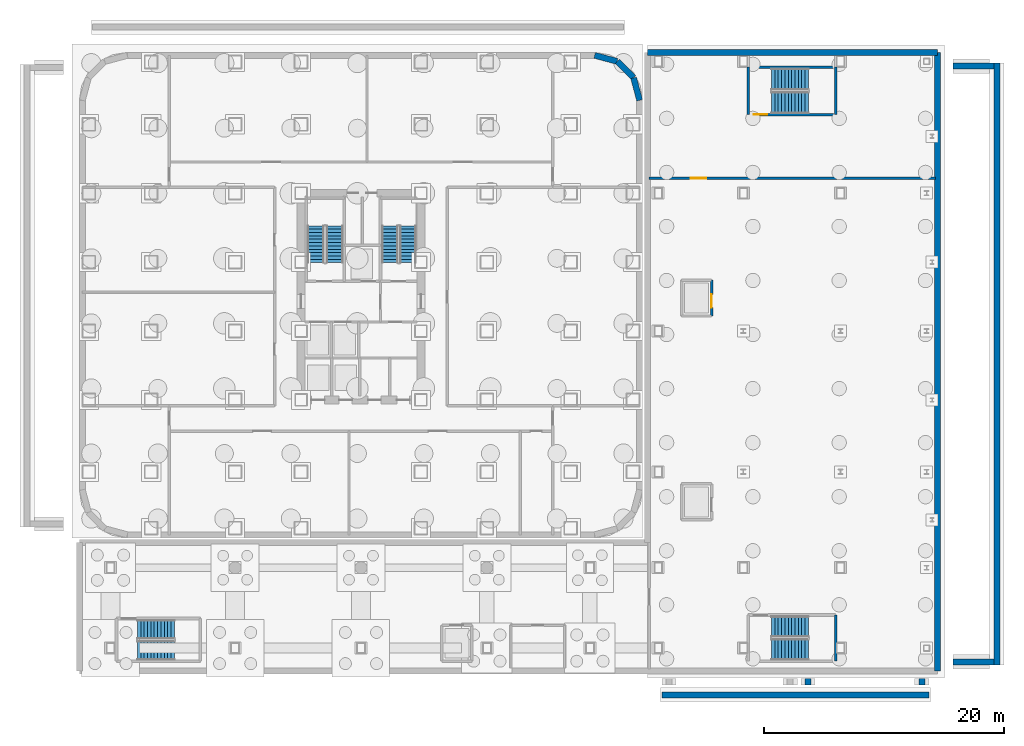
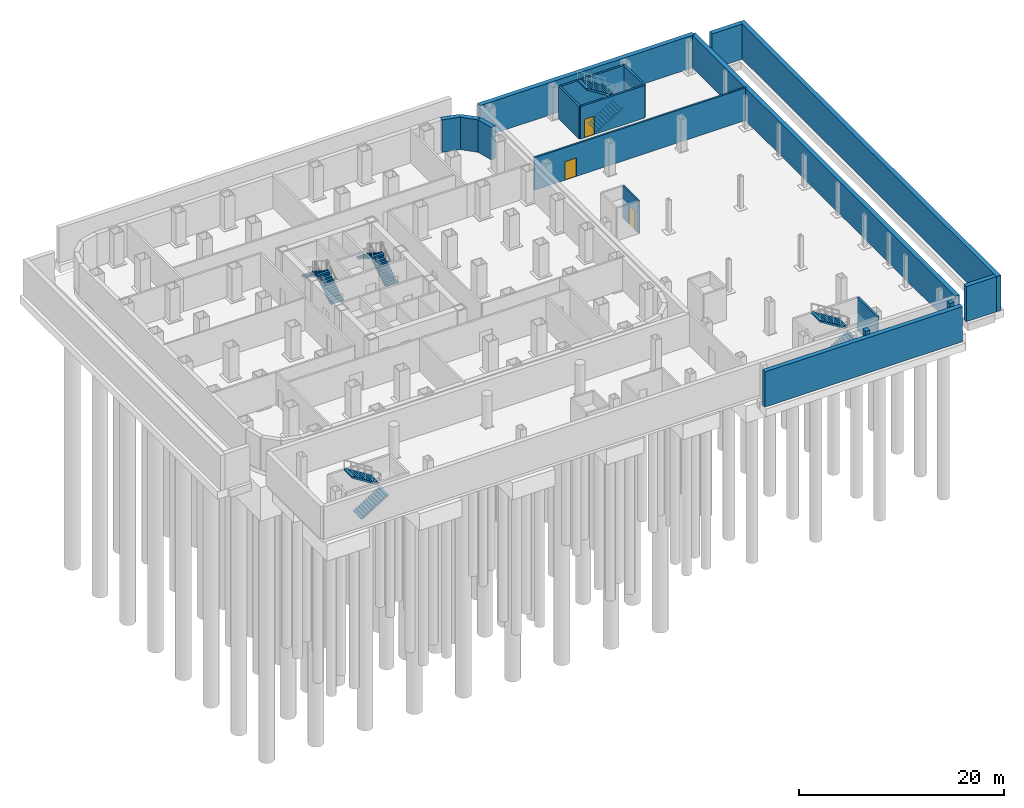
# One storey, part 9 of 16: 18 walls, 10 stair flights, 3 doors, 3 openings, 5 elements without a shape of their own.
"""IFC4 building model written with IfcOpenShell, lengths in metres."""

from ifc_helpers import new_model, si_unit, direction, frame, frame_2d, origin, place, context, subcontext, project, spatial, polyline, rectangle, outline, extrude, material, layer, layer_set, type_object, element, fill, aggregate, save


model = new_model("IFC4")

# Units and contexts
model_context = context("Model", 3, precision=1e-05, world=origin(), true_north=direction((0.0, 1.0)))
body_context = subcontext(model_context, "Body", "Model", "MODEL_VIEW")
ifc_project = project(units=[si_unit("LENGTHUNIT", "METRE"), si_unit("AREAUNIT", "SQUARE_METRE"), si_unit("VOLUMEUNIT", "CUBIC_METRE"), si_unit("PLANEANGLEUNIT", "RADIAN"), si_unit("MASSUNIT", "GRAM", prefix="KILO")], contexts=[model_context])

# Site, building, storey
site_placement = place(None, origin())
site = spatial("IfcSite", under=ifc_project, at=site_placement, CompositionType="ELEMENT")
building_placement = place(site_placement, origin())
building = spatial("IfcBuilding", under=site, at=building_placement, Name="Kolveth Station Tower", CompositionType="ELEMENT")
storey_placement = place(building_placement, frame((0.0, 0.0, -8.39990234375)))
storey = spatial("IfcBuildingStorey", under=building, at=storey_placement, Name="B2", CompositionType="ELEMENT", Elevation=-8.39990234375)

# Wall, opening, door
ifc_material_1 = material(Name="Acoustic fire-rated gypsum blockwork", Category="masonry")
ifc_layer_1 = layer(ifc_material_1, 0.199951171875)
ifc_layer_set_1 = layer_set([ifc_layer_1], Name="Acoustic fire-rated gypsum blockwork")
wall_type_1 = type_object("IfcWallType", Name="Wall_IW-200", PredefinedType="PARTITIONING", material=ifc_layer_set_1)
wall_1_placement = place(storey_placement, frame((52.75, 18.5, 0.0), z_axis=(0.0, 0.0, 1.0), x_axis=(0.0, 1.0, 0.0)))
wall_1 = element("IfcWall", 1, at=wall_1_placement, inside=storey, type_object=wall_type_1, Name="B2 Partition Wall WL-B2-SL2-E", PredefinedType="PARTITIONING", context=body_context, shape_type="SweptSolid", body=[
    extrude(rectangle(XDim=3.0, YDim=0.199951171875, at=frame_2d((1.5, 0.0))), origin(), (0.0, 0.0, 1.0), 3.8798828125),
])
opening_1_placement = place(wall_1_placement, frame((0.699951171875, 0.0, 0.0)))
opening_1 = element("IfcOpeningElement", 2, at=opening_1_placement, cuts=wall_1, Name="Opening LD1", PredefinedType="OPENING", context=body_context, shape_type="SweptSolid", body=[
    extrude(rectangle(XDim=1.10009765625, YDim=2.25, at=frame_2d((0.550048828125, 1.125))), frame((0.0, 0.10986328125, 0.0), z_axis=(0.0, -1.0, 0.0), x_axis=(1.0, 0.0, 0.0)), (0.0, 0.0, 1.0), 0.219970703125),
])
ifc_material_2 = material(Name="Brushed stainless steel sliding landing doors", Category="steel")
door_type_1 = type_object("IfcDoorType", Name="Door_LD1", OperationType="NOTDEFINED", PredefinedType="DOOR", material=ifc_material_2)
door_1_placement = place(opening_1_placement, origin())
door_1 = element("IfcDoor", 3, at=door_1_placement, inside=storey, type_object=door_type_1, Name="B2 Station Lift SL2 Landing Door", OperationType="DOUBLE_DOOR_SLIDING", OverallHeight=2.25, OverallWidth=1.10009765625, PredefinedType="DOOR", context=body_context, shape_type="SweptSolid", body=[
    extrude(rectangle(XDim=1.10009765625, YDim=2.25, at=frame_2d((0.550048828125, 1.125))), frame((0.0, 0.02490234375, 0.0), z_axis=(0.0, -1.0, 0.0), x_axis=(1.0, 0.0, 0.0)), (0.0, 0.0, 1.0), 0.050048828125),
])
fill(opening_1, door_1)

wall_2_placement = place(storey_placement, frame((47.550048828125, 30.0, 0.0), z_axis=(0.0, 0.0, 1.0), x_axis=(1.0, 0.0, 0.0)))
wall_2 = element("IfcWall", 4, at=wall_2_placement, inside=storey, type_object=wall_type_1, Name="B2 Partition Wall WL-B2-STN-DIV", PredefinedType="PARTITIONING", context=body_context, shape_type="SweptSolid", body=[
    extrude(rectangle(XDim=23.89990234375, YDim=0.199951171875, at=frame_2d((11.949951171875, 0.0))), origin(), (0.0, 0.0, 1.0), 3.8798828125),
])
opening_2_placement = place(wall_2_placement, frame((3.449951171875, 0.0, 0.0)))
opening_2 = element("IfcOpeningElement", 5, at=opening_2_placement, cuts=wall_2, Name="Opening ID3", PredefinedType="OPENING", context=body_context, shape_type="SweptSolid", body=[
    extrude(rectangle(XDim=1.300048828125, YDim=2.199951171875, at=frame_2d((0.64990234375, 1.10009765625))), frame((0.0, 0.10986328125, 0.0), z_axis=(0.0, -1.0, 0.0), x_axis=(1.0, 0.0, 0.0)), (0.0, 0.0, 1.0), 0.219970703125),
])
ifc_material_3 = material(Name="Glazed acoustic office double leaf")
door_type_2 = type_object("IfcDoorType", Name="Door_ID3", OperationType="NOTDEFINED", PredefinedType="DOOR", material=ifc_material_3)
door_2_placement = place(opening_2_placement, origin())
door_2 = element("IfcDoor", 6, at=door_2_placement, inside=storey, type_object=door_type_2, Name="B2 Station Concourse Gate", OperationType="DOUBLE_DOOR_SINGLE_SWING", OverallHeight=2.199951171875, OverallWidth=1.300048828125, PredefinedType="DOOR", context=body_context, shape_type="SweptSolid", body=[
    extrude(rectangle(XDim=1.300048828125, YDim=2.199951171875, at=frame_2d((0.64990234375, 1.10009765625))), frame((0.0, 0.02490234375, 0.0), z_axis=(0.0, -1.0, 0.0), x_axis=(1.0, 0.0, 0.0)), (0.0, 0.0, 1.0), 0.050048828125),
])
fill(opening_2, door_2)

ifc_material_4 = material(Name="Concrete C40/50", Category="concrete")
ifc_layer_2 = layer(ifc_material_4, 0.219970703125)
ifc_layer_set_2 = layer_set([ifc_layer_2], Name="Concrete C40/50")
wall_type_2 = type_object("IfcWallType", Name="Wall_IW-220", PredefinedType="SOLIDWALL", material=ifc_layer_set_2)
wall_3_placement = place(storey_placement, frame((55.800048828125, 35.300048828125, 0.0), z_axis=(0.0, 0.0, 1.0), x_axis=(1.0, 0.0, 0.0)))
wall_3 = element("IfcWall", 7, at=wall_3_placement, inside=storey, type_object=wall_type_2, Name="B2 Stair Shaft Wall WL-B2-ST3-S", PredefinedType="SOLIDWALL", context=body_context, shape_type="SweptSolid", body=[
    extrude(rectangle(XDim=7.300048828125, YDim=0.219970703125, at=frame_2d((3.64990234375, 0.0))), origin(), (0.0, 0.0, 1.0), 3.8798828125),
])
opening_3_placement = place(wall_3_placement, frame((0.449951171875, 0.0, 0.0)))
opening_3 = element("IfcOpeningElement", 8, at=opening_3_placement, cuts=wall_3, Name="Opening FD1", PredefinedType="OPENING", context=body_context, shape_type="SweptSolid", body=[
    extrude(rectangle(XDim=1.14990234375, YDim=2.199951171875, at=frame_2d((0.574951171875, 1.10009765625))), frame((0.0, 0.119873046875, 0.0), z_axis=(0.0, -1.0, 0.0), x_axis=(1.0, 0.0, 0.0)), (0.0, 0.0, 1.0), 0.239990234375),
])
ifc_material_5 = material(Name="Fire-rated Steel S355 leaf and frame", Category="steel")
door_type_3 = type_object("IfcDoorType", Name="Door_FD1", OperationType="NOTDEFINED", PredefinedType="DOOR", material=ifc_material_5)
door_3_placement = place(opening_3_placement, frame((1.14990234375, 0.0, 0.0), z_axis=(0.0, 0.0, 1.0), x_axis=(-1.0, 0.0, 0.0)))
door_3 = element("IfcDoor", 9, at=door_3_placement, inside=storey, type_object=door_type_3, Name="B2 Station Stair ST3 Door", OperationType="SINGLE_SWING_RIGHT", OverallHeight=2.199951171875, OverallWidth=1.14990234375, PredefinedType="DOOR", context=body_context, shape_type="SweptSolid", body=[
    extrude(rectangle(XDim=1.14990234375, YDim=2.199951171875, at=frame_2d((0.574951171875, 1.10009765625))), frame((0.0, 0.02490234375, 0.0), z_axis=(0.0, -1.0, 0.0), x_axis=(1.0, 0.0, 0.0)), (0.0, 0.0, 1.0), 0.050048828125),
])
fill(opening_3, door_3)

# Walls
wall_4_placement = place(storey_placement, frame((55.800048828125, 39.260009765625, 0.0), z_axis=(0.0, 0.0, 1.0), x_axis=(1.0, 0.0, 0.0)))
element("IfcWall", 10, at=wall_4_placement, inside=storey, type_object=wall_type_2, Name="B2 Stair Shaft Wall WL-B2-ST3-N", PredefinedType="SOLIDWALL", context=body_context, shape_type="SweptSolid", body=[
    extrude(rectangle(XDim=7.300048828125, YDim=0.219970703125, at=frame_2d((3.64990234375, 0.0))), origin(), (0.0, 0.0, 1.0), 3.8798828125),
])
for number, where, z_axis, x_axis, name in (
    (11, (55.800048828125, 35.300048828125, 0.0), (0.0, 0.0, 1.0), (0.0, 1.0, 0.0), "B2 Stair Shaft Wall WL-B2-ST3-W"),
    (12, (63.10009765625, 35.300048828125, 0.0), (0.0, 0.0, 1.0), (0.0, 1.0, 0.0), "B2 Stair Shaft Wall WL-B2-ST3-E"),
):
    element("IfcWall", number, at=place(storey_placement, frame(where, z_axis=z_axis, x_axis=x_axis)), inside=storey, type_object=wall_type_2, Name=name, PredefinedType="SOLIDWALL", context=body_context, shape_type="SweptSolid", body=[
        extrude(rectangle(XDim=3.9599609375, YDim=0.219970703125, at=frame_2d((1.97998046875, 0.0))), origin(), (0.0, 0.0, 1.0), 3.8798828125),
    ])
wall_5_placement = place(storey_placement, frame((63.10009765625, -10.300048828125, 0.0), z_axis=(0.0, 0.0, 1.0), x_axis=(0.0, 1.0, 0.0)))
element("IfcWall", 13, at=wall_5_placement, inside=storey, type_object=wall_type_2, Name="B2 Stair Shaft Wall WL-B2-ST4-E", PredefinedType="SOLIDWALL", context=body_context, shape_type="SweptSolid", body=[
    extrude(rectangle(XDim=3.860107421875, YDim=0.219970703125, at=frame_2d((1.93017578125, 0.0))), origin(), (0.0, 0.0, 1.0), 3.8798828125),
])
ifc_material_6 = material(Name="Concrete C50/60", Category="concrete")
ifc_layer_3 = layer(ifc_material_6, 0.5)
ifc_layer_set_3 = layer_set([ifc_layer_3], Name="Concrete C50/60")
wall_type_3 = type_object("IfcWallType", Name="Wall_RW-500", PredefinedType="USERDEFINED", material=ifc_layer_set_3)
for number, where, z_axis, x_axis, name in (
    (14, (46.75, 36.5, 0.0), (0.0, 0.0, 1.0), (-0.258836670666, 0.965921103361, 0.0), "B2 Tower Basement Retaining Wall 5"),
    (15, (46.24755859375, 38.375, 0.0), (0.0, 0.0, 1.0), (-0.707106781187, 0.707106781187, 0.0), "B2 Tower Basement Retaining Wall 6"),
    (16, (44.875, 39.74755859375, 0.0), (0.0, 0.0, 1.0), (-0.965921103361, 0.258836670666, 0.0), "B2 Tower Basement Retaining Wall 7"),
):
    element("IfcWall", number, at=place(storey_placement, frame(where, z_axis=z_axis, x_axis=x_axis)), inside=storey, type_object=wall_type_3, Name=name, ObjectType="RETAININGWALL", PredefinedType="USERDEFINED", context=body_context, shape_type="SweptSolid", body=[
        extrude(rectangle(XDim=1.941162109375, YDim=0.5, at=frame_2d((0.970703125, 0.0))), origin(), (0.0, 0.0, 1.0), 3.8798828125),
    ])
wall_6_placement = place(storey_placement, frame((71.60009765625, -11.10009765625, 0.0), z_axis=(0.0, 0.0, 1.0), x_axis=(0.0, 1.0, 0.0)))
element("IfcWall", 17, at=wall_6_placement, inside=storey, type_object=wall_type_3, Name="B2 Station Basement Retaining Wall 2", ObjectType="RETAININGWALL", PredefinedType="USERDEFINED", context=body_context, shape_type="SweptSolid", body=[
    extrude(rectangle(XDim=51.60009765625, YDim=0.5, at=frame_2d((25.800048828125, 0.0))), origin(), (0.0, 0.0, 1.0), 3.8798828125),
])
wall_7_placement = place(storey_placement, frame((71.60009765625, 40.5, 0.0), z_axis=(0.0, 0.0, 1.0), x_axis=(-1.0, 0.0, 0.0)))
element("IfcWall", 18, at=wall_7_placement, inside=storey, type_object=wall_type_3, Name="B2 Station Basement Retaining Wall 3", ObjectType="RETAININGWALL", PredefinedType="USERDEFINED", context=body_context, shape_type="SweptSolid", body=[
    extrude(rectangle(XDim=24.2001953125, YDim=0.5, at=frame_2d((12.10009765625, 0.0))), origin(), (0.0, 0.0, 1.0), 3.8798828125),
])
wall_8_placement = place(storey_placement, frame((76.550048828125, -10.60009765625, 0.0), z_axis=(0.0, 0.0, 1.0), x_axis=(0.0, 1.0, 0.0)))
element("IfcWall", 19, at=wall_8_placement, inside=storey, type_object=wall_type_3, Name="B2 Forecourt Retaining Wall 4", ObjectType="RETAININGWALL", PredefinedType="USERDEFINED", context=body_context, shape_type="SweptSolid", body=[
    extrude(rectangle(XDim=50.2001953125, YDim=0.5, at=frame_2d((25.10009765625, 0.0))), origin(), (0.0, 0.0, 1.0), 4.199951171875),
])
for number, where, z_axis, x_axis, name in (
    (20, (72.89990234375, -10.35009765625, 0.0), (0.0, 0.0, 1.0), (1.0, 0.0, 0.0), "B2 Forecourt Retaining Wall 5"),
    (21, (72.89990234375, 39.35009765625, 0.0), (0.0, 0.0, 1.0), (1.0, 0.0, 0.0), "B2 Forecourt Retaining Wall 6"),
):
    element("IfcWall", number, at=place(storey_placement, frame(where, z_axis=z_axis, x_axis=x_axis)), inside=storey, type_object=wall_type_3, Name=name, ObjectType="RETAININGWALL", PredefinedType="USERDEFINED", context=body_context, shape_type="SweptSolid", body=[
        extrude(rectangle(XDim=3.400146484375, YDim=0.5, at=frame_2d((1.7001953125, 0.0))), origin(), (0.0, 0.0, 1.0), 4.199951171875),
    ])
wall_9_placement = place(storey_placement, frame((48.60009765625, -13.10009765625, 0.0), z_axis=(0.0, 0.0, 1.0), x_axis=(1.0, 0.0, 0.0)))
element("IfcWall", 22, at=wall_9_placement, inside=storey, type_object=wall_type_3, Name="B2 Forecourt Retaining Wall 8", ObjectType="RETAININGWALL", PredefinedType="USERDEFINED", context=body_context, shape_type="SweptSolid", body=[
    extrude(rectangle(XDim=22.2998046875, YDim=0.5, at=frame_2d((11.14990234375, 0.0))), origin(), (0.0, 0.0, 1.0), 4.199951171875),
])
for number, where, z_axis, x_axis, name in (
    (23, (60.800048828125, -12.300048828125, 0.0), (0.0, 0.0, 1.0), (0.0, 1.0, 0.0), "B2 Forecourt Retaining Wall 11"),
    (24, (70.300048828125, -12.300048828125, 0.0), (0.0, 0.0, 1.0), (0.0, 1.0, 0.0), "B2 Forecourt Retaining Wall 12"),
):
    element("IfcWall", number, at=place(storey_placement, frame(where, z_axis=z_axis, x_axis=x_axis)), inside=storey, type_object=wall_type_3, Name=name, ObjectType="RETAININGWALL", PredefinedType="USERDEFINED", context=body_context, shape_type="SweptSolid", body=[
        extrude(rectangle(XDim=0.550048828125, YDim=0.5, at=frame_2d((0.27490234375, 0.0))), origin(), (0.0, 0.0, 1.0), 4.199951171875),
    ])

# Stair, stair flights
stair_type_1 = type_object("IfcStairType", Name="Stair_ST1", PredefinedType="HALF_TURN_STAIR", material=ifc_material_4)
stair_1_placement = place(storey_placement, origin())
stair_1 = element("IfcStair", 25, at=stair_1_placement, inside=storey, type_object=stair_type_1, Name="B2 Tower Exit Stair ST1", PredefinedType="HALF_TURN_STAIR")
ifc_layer_4 = layer(ifc_material_4, 0.179931640625)
ifc_layer_set_4 = layer_set([ifc_layer_4], Name="Concrete C40/50")
stair_flight_type_1 = type_object("IfcStairFlightType", Name="Flight_ST1", PredefinedType="STRAIGHT", material=ifc_layer_set_4)
stair_flight_1_placement = place(storey_placement, frame((21.300048828125, 22.949951171875, 0.0), z_axis=(0.0, 0.0, 1.0), x_axis=(0.0, 1.0, 0.0)))
stair_flight_1 = element("IfcStairFlight", 26, at=stair_flight_1_placement, type_object=stair_flight_type_1, Name="ST1 flight 1", NumberOfRisers=12, NumberOfTreads=11, PredefinedType="STRAIGHT", RiserHeight=0.175, TreadLength=0.28, context=body_context, shape_type="SweptSolid", body=[
    extrude(outline(polyline([(0.0, 0.0), (0.0, 0.175048828125), (0.280029296875, 0.175048828125), (0.280029296875, 0.35009765625), (0.56005859375, 0.35009765625), (0.56005859375, 0.52490234375), (0.840087890625, 0.52490234375), (0.840087890625, 0.699951171875), (1.1201171875, 0.699951171875), (1.1201171875, 0.875), (1.39990234375, 0.875), (1.39990234375, 1.050048828125), (1.679931640625, 1.050048828125), (1.679931640625, 1.22509765625), (1.9599609375, 1.22509765625), (1.9599609375, 1.39990234375), (2.239990234375, 1.39990234375), (2.239990234375, 1.574951171875), (2.52001953125, 1.574951171875), (2.52001953125, 1.75), (2.800048828125, 1.75), (2.800048828125, 1.925048828125), (3.080078125, 1.925048828125), (3.080078125, 2.10009765625), (3.080078125, 1.748291015625), (0.28271484375, 0.0), (0.0, 0.0)])), frame((0.0, 0.699951171875, 0.0), z_axis=(0.0, -1.0, 0.0), x_axis=(1.0, 0.0, 0.0)), (0.0, 0.0, 1.0), 1.39990234375),
])
stair_flight_2_placement = place(storey_placement, frame((19.739990234375, 26.030029296875, 2.099853515625), z_axis=(0.0, 0.0, 1.0), x_axis=(0.0, -1.0, 0.0)))
stair_flight_2 = element("IfcStairFlight", 27, at=stair_flight_2_placement, type_object=stair_flight_type_1, Name="ST1 flight 2", NumberOfRisers=12, NumberOfTreads=11, PredefinedType="STRAIGHT", RiserHeight=0.175, TreadLength=0.28, context=body_context, shape_type="SweptSolid", body=[
    extrude(outline(polyline([(0.0, 0.0), (0.0, 0.175048828125), (0.280029296875, 0.175048828125), (0.280029296875, 0.35009765625), (0.56005859375, 0.35009765625), (0.56005859375, 0.52490234375), (0.840087890625, 0.52490234375), (0.840087890625, 0.699951171875), (1.1201171875, 0.699951171875), (1.1201171875, 0.875), (1.39990234375, 0.875), (1.39990234375, 1.050048828125), (1.679931640625, 1.050048828125), (1.679931640625, 1.22509765625), (1.9599609375, 1.22509765625), (1.9599609375, 1.39990234375), (2.239990234375, 1.39990234375), (2.239990234375, 1.574951171875), (2.52001953125, 1.574951171875), (2.52001953125, 1.75), (2.800048828125, 1.75), (2.800048828125, 1.925048828125), (3.080078125, 1.925048828125), (3.080078125, 2.10009765625), (3.080078125, 1.748291015625), (0.28271484375, 0.0), (0.0, 0.0)])), frame((0.0, 0.699951171875, 0.0), z_axis=(0.0, -1.0, 0.0), x_axis=(1.0, 0.0, 0.0)), (0.0, 0.0, 1.0), 1.39990234375),
])
aggregate(stair_1, [stair_flight_1, stair_flight_2])

stair_type_2 = type_object("IfcStairType", Name="Stair_ST2", PredefinedType="HALF_TURN_STAIR", material=ifc_material_4)
stair_2_placement = place(storey_placement, origin())
stair_2 = element("IfcStair", 28, at=stair_2_placement, inside=storey, type_object=stair_type_2, Name="B2 Tower Exit Stair ST2", PredefinedType="HALF_TURN_STAIR")
ifc_layer_5 = layer(ifc_material_4, 0.179931640625)
ifc_layer_set_5 = layer_set([ifc_layer_5], Name="Concrete C40/50")
stair_flight_type_2 = type_object("IfcStairFlightType", Name="Flight_ST2", PredefinedType="STRAIGHT", material=ifc_layer_set_5)
stair_flight_3_placement = place(storey_placement, frame((27.425048828125, 22.949951171875, 0.0), z_axis=(0.0, 0.0, 1.0), x_axis=(0.0, 1.0, 0.0)))
stair_flight_3 = element("IfcStairFlight", 29, at=stair_flight_3_placement, type_object=stair_flight_type_2, Name="ST2 flight 1", NumberOfRisers=12, NumberOfTreads=11, PredefinedType="STRAIGHT", RiserHeight=0.175, TreadLength=0.28, context=body_context, shape_type="SweptSolid", body=[
    extrude(outline(polyline([(0.0, 0.0), (0.0, 0.175048828125), (0.280029296875, 0.175048828125), (0.280029296875, 0.35009765625), (0.56005859375, 0.35009765625), (0.56005859375, 0.52490234375), (0.840087890625, 0.52490234375), (0.840087890625, 0.699951171875), (1.1201171875, 0.699951171875), (1.1201171875, 0.875), (1.39990234375, 0.875), (1.39990234375, 1.050048828125), (1.679931640625, 1.050048828125), (1.679931640625, 1.22509765625), (1.9599609375, 1.22509765625), (1.9599609375, 1.39990234375), (2.239990234375, 1.39990234375), (2.239990234375, 1.574951171875), (2.52001953125, 1.574951171875), (2.52001953125, 1.75), (2.800048828125, 1.75), (2.800048828125, 1.925048828125), (3.080078125, 1.925048828125), (3.080078125, 2.10009765625), (3.080078125, 1.748291015625), (0.28271484375, 0.0), (0.0, 0.0)])), frame((0.0, 0.675048828125, 0.0), z_axis=(0.0, -1.0, 0.0), x_axis=(1.0, 0.0, 0.0)), (0.0, 0.0, 1.0), 1.35009765625),
])
stair_flight_4_placement = place(storey_placement, frame((25.9150390625, 26.030029296875, 2.099853515625), z_axis=(0.0, 0.0, 1.0), x_axis=(0.0, -1.0, 0.0)))
stair_flight_4 = element("IfcStairFlight", 30, at=stair_flight_4_placement, type_object=stair_flight_type_2, Name="ST2 flight 2", NumberOfRisers=12, NumberOfTreads=11, PredefinedType="STRAIGHT", RiserHeight=0.175, TreadLength=0.28, context=body_context, shape_type="SweptSolid", body=[
    extrude(outline(polyline([(0.0, 0.0), (0.0, 0.175048828125), (0.280029296875, 0.175048828125), (0.280029296875, 0.35009765625), (0.56005859375, 0.35009765625), (0.56005859375, 0.52490234375), (0.840087890625, 0.52490234375), (0.840087890625, 0.699951171875), (1.1201171875, 0.699951171875), (1.1201171875, 0.875), (1.39990234375, 0.875), (1.39990234375, 1.050048828125), (1.679931640625, 1.050048828125), (1.679931640625, 1.22509765625), (1.9599609375, 1.22509765625), (1.9599609375, 1.39990234375), (2.239990234375, 1.39990234375), (2.239990234375, 1.574951171875), (2.52001953125, 1.574951171875), (2.52001953125, 1.75), (2.800048828125, 1.75), (2.800048828125, 1.925048828125), (3.080078125, 1.925048828125), (3.080078125, 2.10009765625), (3.080078125, 1.748291015625), (0.28271484375, 0.0), (0.0, 0.0)])), frame((0.0, 0.675048828125, 0.0), z_axis=(0.0, -1.0, 0.0), x_axis=(1.0, 0.0, 0.0)), (0.0, 0.0, 1.0), 1.35009765625),
])
aggregate(stair_2, [stair_flight_3, stair_flight_4])

stair_type_3 = type_object("IfcStairType", Name="Stair_ST3", PredefinedType="HALF_TURN_STAIR", material=ifc_material_4)
stair_3_placement = place(storey_placement, origin())
stair_3 = element("IfcStair", 31, at=stair_3_placement, inside=storey, type_object=stair_type_3, Name="B2 Station North Exit Stair ST3", PredefinedType="HALF_TURN_STAIR")
ifc_layer_6 = layer(ifc_material_4, 0.179931640625)
ifc_layer_set_6 = layer_set([ifc_layer_6], Name="Concrete C40/50")
stair_flight_type_3 = type_object("IfcStairFlightType", Name="Flight_ST3", PredefinedType="STRAIGHT", material=ifc_layer_set_6)
stair_flight_5_placement = place(storey_placement, frame((57.75, 36.300048828125, 0.0), z_axis=(0.0, 0.0, 1.0), x_axis=(1.0, 0.0, 0.0)))
stair_flight_5 = element("IfcStairFlight", 32, at=stair_flight_5_placement, type_object=stair_flight_type_3, Name="ST3 flight 1", NumberOfRisers=12, NumberOfTreads=11, PredefinedType="STRAIGHT", RiserHeight=0.175, TreadLength=0.28, context=body_context, shape_type="SweptSolid", body=[
    extrude(outline(polyline([(0.0, 0.0), (0.0, 0.175048828125), (0.280029296875, 0.175048828125), (0.280029296875, 0.35009765625), (0.56005859375, 0.35009765625), (0.56005859375, 0.52490234375), (0.840087890625, 0.52490234375), (0.840087890625, 0.699951171875), (1.1201171875, 0.699951171875), (1.1201171875, 0.875), (1.39990234375, 0.875), (1.39990234375, 1.050048828125), (1.679931640625, 1.050048828125), (1.679931640625, 1.22509765625), (1.9599609375, 1.22509765625), (1.9599609375, 1.39990234375), (2.239990234375, 1.39990234375), (2.239990234375, 1.574951171875), (2.52001953125, 1.574951171875), (2.52001953125, 1.75), (2.800048828125, 1.75), (2.800048828125, 1.925048828125), (3.080078125, 1.925048828125), (3.080078125, 2.10009765625), (3.080078125, 1.748291015625), (0.28271484375, 0.0), (0.0, 0.0)])), frame((0.0, 0.89990234375, 0.0), z_axis=(0.0, -1.0, 0.0), x_axis=(1.0, 0.0, 0.0)), (0.0, 0.0, 1.0), 1.800048828125),
])
stair_flight_6_placement = place(storey_placement, frame((60.830078125, 38.260009765625, 2.099853515625), z_axis=(0.0, 0.0, 1.0), x_axis=(-1.0, 0.0, 0.0)))
stair_flight_6 = element("IfcStairFlight", 33, at=stair_flight_6_placement, type_object=stair_flight_type_3, Name="ST3 flight 2", NumberOfRisers=12, NumberOfTreads=11, PredefinedType="STRAIGHT", RiserHeight=0.175, TreadLength=0.28, context=body_context, shape_type="SweptSolid", body=[
    extrude(outline(polyline([(0.0, 0.0), (0.0, 0.175048828125), (0.280029296875, 0.175048828125), (0.280029296875, 0.35009765625), (0.56005859375, 0.35009765625), (0.56005859375, 0.52490234375), (0.840087890625, 0.52490234375), (0.840087890625, 0.699951171875), (1.1201171875, 0.699951171875), (1.1201171875, 0.875), (1.39990234375, 0.875), (1.39990234375, 1.050048828125), (1.679931640625, 1.050048828125), (1.679931640625, 1.22509765625), (1.9599609375, 1.22509765625), (1.9599609375, 1.39990234375), (2.239990234375, 1.39990234375), (2.239990234375, 1.574951171875), (2.52001953125, 1.574951171875), (2.52001953125, 1.75), (2.800048828125, 1.75), (2.800048828125, 1.925048828125), (3.080078125, 1.925048828125), (3.080078125, 2.10009765625), (3.080078125, 1.748291015625), (0.28271484375, 0.0), (0.0, 0.0)])), frame((0.0, 0.89990234375, 0.0), z_axis=(0.0, -1.0, 0.0), x_axis=(1.0, 0.0, 0.0)), (0.0, 0.0, 1.0), 1.800048828125),
])
aggregate(stair_3, [stair_flight_5, stair_flight_6])

stair_type_4 = type_object("IfcStairType", Name="Stair_ST4", PredefinedType="HALF_TURN_STAIR", material=ifc_material_4)
stair_4_placement = place(storey_placement, origin())
stair_4 = element("IfcStair", 34, at=stair_4_placement, inside=storey, type_object=stair_type_4, Name="B2 Station South-East Exit Stair ST4", PredefinedType="HALF_TURN_STAIR")
ifc_layer_7 = layer(ifc_material_4, 0.179931640625)
ifc_layer_set_7 = layer_set([ifc_layer_7], Name="Concrete C40/50")
stair_flight_type_4 = type_object("IfcStairFlightType", Name="Flight_ST4", PredefinedType="STRAIGHT", material=ifc_layer_set_7)
stair_flight_7_placement = place(storey_placement, frame((57.75, -9.324951171875, 0.0), z_axis=(0.0, 0.0, 1.0), x_axis=(1.0, 0.0, 0.0)))
stair_flight_7 = element("IfcStairFlight", 35, at=stair_flight_7_placement, type_object=stair_flight_type_4, Name="ST4 flight 1", NumberOfRisers=12, NumberOfTreads=11, PredefinedType="STRAIGHT", RiserHeight=0.175, TreadLength=0.28, context=body_context, shape_type="SweptSolid", body=[
    extrude(outline(polyline([(0.0, 0.0), (0.0, 0.175048828125), (0.280029296875, 0.175048828125), (0.280029296875, 0.35009765625), (0.56005859375, 0.35009765625), (0.56005859375, 0.52490234375), (0.840087890625, 0.52490234375), (0.840087890625, 0.699951171875), (1.1201171875, 0.699951171875), (1.1201171875, 0.875), (1.39990234375, 0.875), (1.39990234375, 1.050048828125), (1.679931640625, 1.050048828125), (1.679931640625, 1.22509765625), (1.9599609375, 1.22509765625), (1.9599609375, 1.39990234375), (2.239990234375, 1.39990234375), (2.239990234375, 1.574951171875), (2.52001953125, 1.574951171875), (2.52001953125, 1.75), (2.800048828125, 1.75), (2.800048828125, 1.925048828125), (3.080078125, 1.925048828125), (3.080078125, 2.10009765625), (3.080078125, 1.748291015625), (0.28271484375, 0.0), (0.0, 0.0)])), frame((0.0, 0.875, 0.0), z_axis=(0.0, -1.0, 0.0), x_axis=(1.0, 0.0, 0.0)), (0.0, 0.0, 1.0), 1.75),
])
stair_flight_8_placement = place(storey_placement, frame((60.830078125, -7.4150390625, 2.099853515625), z_axis=(0.0, 0.0, 1.0), x_axis=(-1.0, 0.0, 0.0)))
stair_flight_8 = element("IfcStairFlight", 36, at=stair_flight_8_placement, type_object=stair_flight_type_4, Name="ST4 flight 2", NumberOfRisers=12, NumberOfTreads=11, PredefinedType="STRAIGHT", RiserHeight=0.175, TreadLength=0.28, context=body_context, shape_type="SweptSolid", body=[
    extrude(outline(polyline([(0.0, 0.0), (0.0, 0.175048828125), (0.280029296875, 0.175048828125), (0.280029296875, 0.35009765625), (0.56005859375, 0.35009765625), (0.56005859375, 0.52490234375), (0.840087890625, 0.52490234375), (0.840087890625, 0.699951171875), (1.1201171875, 0.699951171875), (1.1201171875, 0.875), (1.39990234375, 0.875), (1.39990234375, 1.050048828125), (1.679931640625, 1.050048828125), (1.679931640625, 1.22509765625), (1.9599609375, 1.22509765625), (1.9599609375, 1.39990234375), (2.239990234375, 1.39990234375), (2.239990234375, 1.574951171875), (2.52001953125, 1.574951171875), (2.52001953125, 1.75), (2.800048828125, 1.75), (2.800048828125, 1.925048828125), (3.080078125, 1.925048828125), (3.080078125, 2.10009765625), (3.080078125, 1.748291015625), (0.28271484375, 0.0), (0.0, 0.0)])), frame((0.0, 0.875, 0.0), z_axis=(0.0, -1.0, 0.0), x_axis=(1.0, 0.0, 0.0)), (0.0, 0.0, 1.0), 1.75),
])
aggregate(stair_4, [stair_flight_7, stair_flight_8])

stair_type_5 = type_object("IfcStairType", Name="Stair_ST5", PredefinedType="HALF_TURN_STAIR", material=ifc_material_4)
stair_5_placement = place(storey_placement, origin())
stair_5 = element("IfcStair", 37, at=stair_5_placement, inside=storey, type_object=stair_type_5, Name="B2 Station West Concourse Stair ST5", PredefinedType="HALF_TURN_STAIR")
ifc_layer_8 = layer(ifc_material_4, 0.179931640625)
ifc_layer_set_8 = layer_set([ifc_layer_8], Name="Concrete C40/50")
stair_flight_type_5 = type_object("IfcStairFlightType", Name="Flight_ST5", PredefinedType="STRAIGHT", material=ifc_layer_set_8)
stair_flight_9_placement = place(storey_placement, frame((4.85009765625, -9.39990234375, 0.0), z_axis=(0.0, 0.0, 1.0), x_axis=(1.0, 0.0, 0.0)))
stair_flight_9 = element("IfcStairFlight", 38, at=stair_flight_9_placement, type_object=stair_flight_type_5, Name="ST5 flight 1", NumberOfRisers=12, NumberOfTreads=11, PredefinedType="STRAIGHT", RiserHeight=0.175, TreadLength=0.28, context=body_context, shape_type="SweptSolid", body=[
    extrude(outline(polyline([(0.0, 0.0), (0.0, 0.175048828125), (0.280029296875, 0.175048828125), (0.280029296875, 0.35009765625), (0.56005859375, 0.35009765625), (0.56005859375, 0.52490234375), (0.840087890625, 0.52490234375), (0.840087890625, 0.699951171875), (1.1201171875, 0.699951171875), (1.1201171875, 0.875), (1.39990234375, 0.875), (1.39990234375, 1.050048828125), (1.679931640625, 1.050048828125), (1.679931640625, 1.22509765625), (1.9599609375, 1.22509765625), (1.9599609375, 1.39990234375), (2.239990234375, 1.39990234375), (2.239990234375, 1.574951171875), (2.52001953125, 1.574951171875), (2.52001953125, 1.75), (2.800048828125, 1.75), (2.800048828125, 1.925048828125), (3.080078125, 1.925048828125), (3.080078125, 2.10009765625), (3.080078125, 1.748291015625), (0.28271484375, 0.0), (0.0, 0.0)])), frame((0.0, 0.800048828125, 0.0), z_axis=(0.0, -1.0, 0.0), x_axis=(1.0, 0.0, 0.0)), (0.0, 0.0, 1.0), 1.60009765625),
])
stair_flight_10_placement = place(storey_placement, frame((7.929931640625, -7.639892578125, 2.099853515625), z_axis=(0.0, 0.0, 1.0), x_axis=(-1.0, 0.0, 0.0)))
stair_flight_10 = element("IfcStairFlight", 39, at=stair_flight_10_placement, type_object=stair_flight_type_5, Name="ST5 flight 2", NumberOfRisers=12, NumberOfTreads=11, PredefinedType="STRAIGHT", RiserHeight=0.175, TreadLength=0.28, context=body_context, shape_type="SweptSolid", body=[
    extrude(outline(polyline([(0.0, 0.0), (0.0, 0.175048828125), (0.280029296875, 0.175048828125), (0.280029296875, 0.35009765625), (0.56005859375, 0.35009765625), (0.56005859375, 0.52490234375), (0.840087890625, 0.52490234375), (0.840087890625, 0.699951171875), (1.1201171875, 0.699951171875), (1.1201171875, 0.875), (1.39990234375, 0.875), (1.39990234375, 1.050048828125), (1.679931640625, 1.050048828125), (1.679931640625, 1.22509765625), (1.9599609375, 1.22509765625), (1.9599609375, 1.39990234375), (2.239990234375, 1.39990234375), (2.239990234375, 1.574951171875), (2.52001953125, 1.574951171875), (2.52001953125, 1.75), (2.800048828125, 1.75), (2.800048828125, 1.925048828125), (3.080078125, 1.925048828125), (3.080078125, 2.10009765625), (3.080078125, 1.748291015625), (0.28271484375, 0.0), (0.0, 0.0)])), frame((0.0, 0.800048828125, 0.0), z_axis=(0.0, -1.0, 0.0), x_axis=(1.0, 0.0, 0.0)), (0.0, 0.0, 1.0), 1.60009765625),
])
aggregate(stair_5, [stair_flight_9, stair_flight_10])

save(model, "model.ifc")
